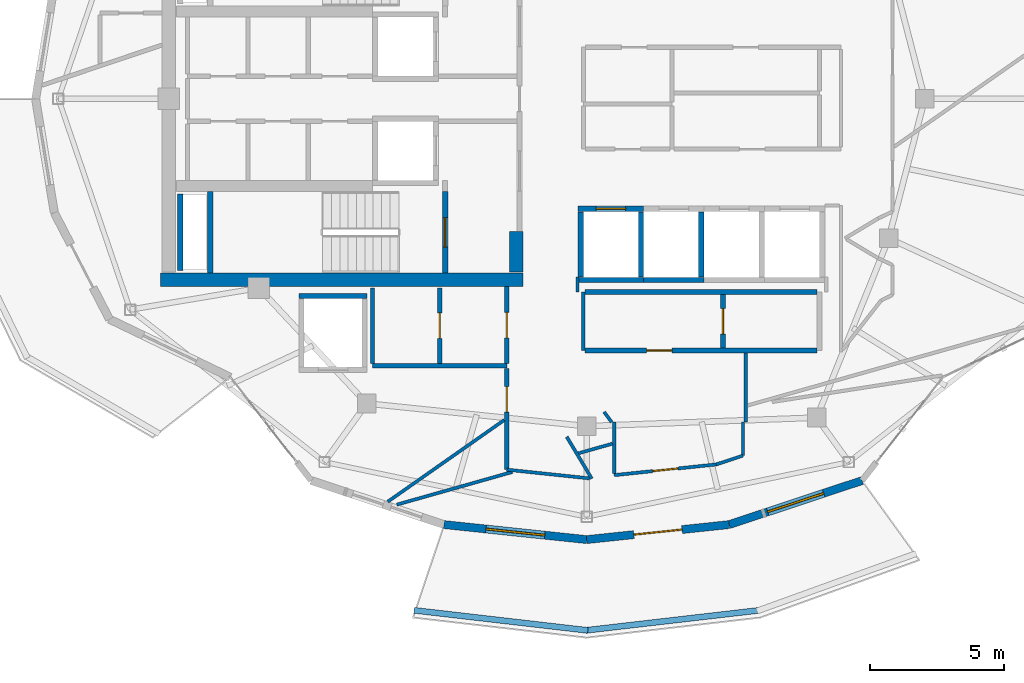
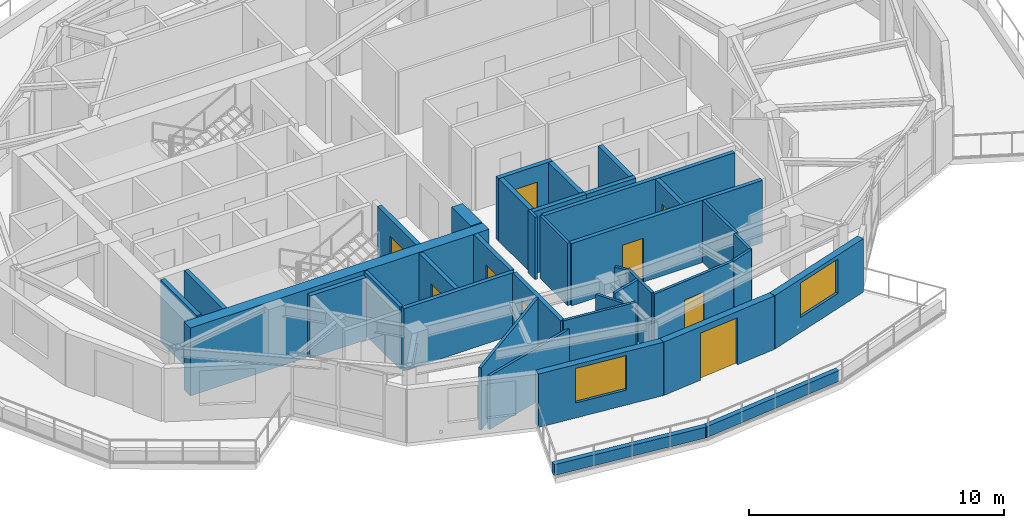
# One storey, part 7 of 15: 38 walls, 9 doors, 2 windows, 11 openings.
"""IFC4 building model written with IfcOpenShell, lengths in metres."""

from ifc_helpers import new_model, si_unit, direction, frame, frame_2d, origin, place, context, subcontext, project, spatial, rectangle, extrude, material, layer, layer_set, type_object, element, fill, save


model = new_model("IFC4")

# Units and contexts
model_context = context("Model", 3, precision=1e-05, world=origin(), true_north=direction((0.0, 1.0)))
body_context = subcontext(model_context, "Body", "Model", "MODEL_VIEW")
ifc_project = project(units=[si_unit("LENGTHUNIT", "METRE"), si_unit("AREAUNIT", "SQUARE_METRE"), si_unit("VOLUMEUNIT", "CUBIC_METRE"), si_unit("PLANEANGLEUNIT", "RADIAN"), si_unit("MASSUNIT", "GRAM", prefix="KILO")], contexts=[model_context])

# Site, building, storey
site_placement = place(None, origin())
site = spatial("IfcSite", under=ifc_project, at=site_placement, CompositionType="ELEMENT")
building_placement = place(site_placement, origin())
building = spatial("IfcBuilding", under=site, at=building_placement, Name="Kolvaren Gate Tower and Convention Centre", CompositionType="ELEMENT")
storey_placement = place(building_placement, frame((0.0, 0.0, 272.300048828125)))
storey = spatial("IfcBuildingStorey", under=building, at=storey_placement, Name="L74", CompositionType="ELEMENT", Elevation=272.300048828125)

# Wall
ifc_material_1 = material(Name="Autoclaved Aerated Masonry Blockwork Class 4 (4.0 MPa)", Category="masonry")
ifc_layer_1 = layer(ifc_material_1, 0.179931640625)
ifc_layer_set_1 = layer_set([ifc_layer_1], Name="Autoclaved Aerated Masonry Blockwork Class 4 (4.0 MPa)")
wall_type_1 = type_object("IfcWallType", Name="ARCH-WL-COMP-180", PredefinedType="SOLIDWALL", material=ifc_layer_set_1)
wall_1_placement = place(storey_placement, frame((22.14990234375, 17.050048828125, 0.0), z_axis=(0.0, 0.0, 1.0), x_axis=(1.0, 0.0, 0.0)))
element("IfcWall", 1, at=wall_1_placement, inside=storey, type_object=wall_type_1, Name="Interior Partition WL-L74-INT-012", PredefinedType="SOLIDWALL", context=body_context, shape_type="SweptSolid", body=[
    extrude(rectangle(XDim=5.0, YDim=0.179931640625, at=frame_2d((2.5, 0.0))), origin(), (0.0, 0.0, 1.0), 2.97998046875),
])

# Wall, opening, door
wall_2_placement = place(storey_placement, frame((24.64990234375, 17.14208984375, 0.0), z_axis=(0.0, 0.0, 1.0), x_axis=(0.0, 1.0, 0.0)))
wall_2 = element("IfcWall", 2, at=wall_2_placement, inside=storey, type_object=wall_type_1, Name="Interior Partition WL-L74-INT-014", PredefinedType="SOLIDWALL", context=body_context, shape_type="SweptSolid", body=[
    extrude(rectangle(XDim=2.807861328125, YDim=0.179931640625, at=frame_2d((1.40380859375, 0.0))), origin(), (0.0, 0.0, 1.0), 2.97998046875),
])
opening_1_placement = place(wall_2_placement, frame((0.928955078125, 0.0, 0.0)))
opening_1 = element("IfcOpeningElement", 3, at=opening_1_placement, cuts=wall_2, Name="Opening DR-01", PredefinedType="OPENING", context=body_context, shape_type="SweptSolid", body=[
    extrude(rectangle(XDim=0.949951171875, YDim=2.10009765625, at=frame_2d((0.47509765625, 1.050048828125))), frame((0.0, 0.099853515625, 0.0), z_axis=(0.0, -1.0, 0.0), x_axis=(1.0, 0.0, 0.0)), (0.0, 0.0, 1.0), 0.199951171875),
])
ifc_material_2 = material(Name="Painted Architectural Steelwork ASTM A500 Grade C 345 MPa", Category="steel")
door_type_1 = type_object("IfcDoorType", Name="ARCH-DR-RISER-950", OperationType="SINGLE_SWING_RIGHT", PredefinedType="DOOR", material=ifc_material_2)
door_1_placement = place(opening_1_placement, origin())
door_1 = element("IfcDoor", 4, at=door_1_placement, inside=storey, type_object=door_type_1, Name="West Valet Store Door", OperationType="SINGLE_SWING_RIGHT", OverallHeight=2.10009765625, OverallWidth=0.949951171875, PredefinedType="DOOR", context=body_context, shape_type="SweptSolid", body=[
    extrude(rectangle(XDim=0.949951171875, YDim=2.10009765625, at=frame_2d((0.47509765625, 1.050048828125))), frame((0.0, 0.02490234375, 0.0), z_axis=(0.0, -1.0, 0.0), x_axis=(1.0, 0.0, 0.0)), (0.0, 0.0, 1.0), 0.050048828125),
])
fill(opening_1, door_1)

wall_3_placement = place(storey_placement, frame((27.14990234375, 13.180908203125, 0.0), z_axis=(0.0, 0.0, 1.0), x_axis=(0.0, 1.0, 0.0)))
wall_3 = element("IfcWall", 5, at=wall_3_placement, inside=storey, type_object=wall_type_1, Name="Interior Partition WL-L74-INT-015", PredefinedType="SOLIDWALL", context=body_context, shape_type="SweptSolid", body=[
    extrude(rectangle(XDim=3.777099609375, YDim=0.179931640625, at=frame_2d((1.888671875, 0.0))), origin(), (0.0, 0.0, 1.0), 2.97998046875),
])
opening_2_placement = place(wall_3_placement, frame((2.139404296875, 0.0, 0.0)))
opening_2 = element("IfcOpeningElement", 6, at=opening_2_placement, cuts=wall_3, Name="Opening DR-01", PredefinedType="OPENING", context=body_context, shape_type="SweptSolid", body=[
    extrude(rectangle(XDim=0.949951171875, YDim=2.10009765625, at=frame_2d((0.47509765625, 1.050048828125))), frame((0.0, 0.099853515625, 0.0), z_axis=(0.0, -1.0, 0.0), x_axis=(1.0, 0.0, 0.0)), (0.0, 0.0, 1.0), 0.199951171875),
])
door_2_placement = place(opening_2_placement, origin())
door_2 = element("IfcDoor", 7, at=door_2_placement, inside=storey, type_object=door_type_1, Name="Resident Private Study Door", OperationType="SINGLE_SWING_RIGHT", OverallHeight=2.10009765625, OverallWidth=0.949951171875, PredefinedType="DOOR", context=body_context, shape_type="SweptSolid", body=[
    extrude(rectangle(XDim=0.949951171875, YDim=2.10009765625, at=frame_2d((0.47509765625, 1.050048828125))), frame((0.0, 0.02490234375, 0.0), z_axis=(0.0, -1.0, 0.0), x_axis=(1.0, 0.0, 0.0)), (0.0, 0.0, 1.0), 0.050048828125),
])
fill(opening_2, door_2)

wall_4_placement = place(storey_placement, frame((27.14990234375, 17.14208984375, 0.0), z_axis=(0.0, 0.0, 1.0), x_axis=(0.0, 1.0, 0.0)))
wall_4 = element("IfcWall", 8, at=wall_4_placement, inside=storey, type_object=wall_type_1, Name="Interior Partition WL-L74-INT-015 (2)", PredefinedType="SOLIDWALL", context=body_context, shape_type="SweptSolid", body=[
    extrude(rectangle(XDim=2.85595703125, YDim=0.179931640625, at=frame_2d((1.427978515625, 0.0))), origin(), (0.0, 0.0, 1.0), 2.97998046875),
])
opening_3_placement = place(wall_4_placement, frame((0.952880859375, 0.0, 0.0)))
opening_3 = element("IfcOpeningElement", 9, at=opening_3_placement, cuts=wall_4, Name="Opening DR-01", PredefinedType="OPENING", context=body_context, shape_type="SweptSolid", body=[
    extrude(rectangle(XDim=0.949951171875, YDim=2.10009765625, at=frame_2d((0.47509765625, 1.050048828125))), frame((0.0, 0.099853515625, 0.0), z_axis=(0.0, -1.0, 0.0), x_axis=(1.0, 0.0, 0.0)), (0.0, 0.0, 1.0), 0.199951171875),
])
door_3_placement = place(opening_3_placement, origin())
door_3 = element("IfcDoor", 10, at=door_3_placement, inside=storey, type_object=door_type_1, Name="Metering Switch Room Door", OperationType="SINGLE_SWING_RIGHT", OverallHeight=2.10009765625, OverallWidth=0.949951171875, PredefinedType="DOOR", context=body_context, shape_type="SweptSolid", body=[
    extrude(rectangle(XDim=0.949951171875, YDim=2.10009765625, at=frame_2d((0.47509765625, 1.050048828125))), frame((0.0, 0.02490234375, 0.0), z_axis=(0.0, -1.0, 0.0), x_axis=(1.0, 0.0, 0.0)), (0.0, 0.0, 1.0), 0.050048828125),
])
fill(opening_3, door_3)

wall_5_placement = place(storey_placement, frame((30.06201171875, 17.6201171875, 0.0), z_axis=(0.0, 0.0, 1.0), x_axis=(1.0, 0.0, 0.0)))
wall_5 = element("IfcWall", 11, at=wall_5_placement, inside=storey, type_object=wall_type_1, Name="Interior Partition WL-L74-INT-031", PredefinedType="SOLIDWALL", context=body_context, shape_type="SweptSolid", body=[
    extrude(rectangle(XDim=8.64599609375, YDim=0.179931640625, at=frame_2d((4.322998046875, 0.0))), origin(), (0.0, 0.0, 1.0), 2.97998046875),
])
opening_4_placement = place(wall_5_placement, frame((2.299072265625, 0.0, 0.0)))
opening_4 = element("IfcOpeningElement", 12, at=opening_4_placement, cuts=wall_5, Name="Opening DR-01", PredefinedType="OPENING", context=body_context, shape_type="SweptSolid", body=[
    extrude(rectangle(XDim=0.949951171875, YDim=2.10009765625, at=frame_2d((0.47509765625, 1.050048828125))), frame((0.0, 0.099853515625, 0.0), z_axis=(0.0, -1.0, 0.0), x_axis=(1.0, 0.0, 0.0)), (0.0, 0.0, 1.0), 0.199951171875),
])
door_4_placement = place(opening_4_placement, origin())
door_4 = element("IfcDoor", 13, at=door_4_placement, inside=storey, type_object=door_type_1, Name="Resident Quiet Library Door", OperationType="SINGLE_SWING_RIGHT", OverallHeight=2.10009765625, OverallWidth=0.949951171875, PredefinedType="DOOR", context=body_context, shape_type="SweptSolid", body=[
    extrude(rectangle(XDim=0.949951171875, YDim=2.10009765625, at=frame_2d((0.47509765625, 1.050048828125))), frame((0.0, 0.02490234375, 0.0), z_axis=(0.0, -1.0, 0.0), x_axis=(1.0, 0.0, 0.0)), (0.0, 0.0, 1.0), 0.050048828125),
])
fill(opening_4, door_4)

# Wall
wall_6_placement = place(storey_placement, frame((30.06201171875, 19.800048828125, 0.0), z_axis=(0.0, 0.0, 1.0), x_axis=(1.0, 0.0, 0.0)))
element("IfcWall", 14, at=wall_6_placement, inside=storey, type_object=wall_type_1, Name="Interior Partition WL-L74-INT-032", PredefinedType="SOLIDWALL", context=body_context, shape_type="SweptSolid", body=[
    extrude(rectangle(XDim=8.64599609375, YDim=0.179931640625, at=frame_2d((4.322998046875, 0.0))), origin(), (0.0, 0.0, 1.0), 2.97998046875),
])

# Wall, opening, door
wall_7_placement = place(storey_placement, frame((35.199951171875, 17.7119140625, 0.0), z_axis=(0.0, 0.0, 1.0), x_axis=(0.0, 1.0, 0.0)))
wall_7 = element("IfcWall", 15, at=wall_7_placement, inside=storey, type_object=wall_type_1, Name="Interior Partition WL-L74-INT-033", PredefinedType="SOLIDWALL", context=body_context, shape_type="SweptSolid", body=[
    extrude(rectangle(XDim=1.99609375, YDim=0.179931640625, at=frame_2d((0.998046875, 0.0))), origin(), (0.0, 0.0, 1.0), 2.97998046875),
])
opening_5_placement = place(wall_7_placement, frame((0.52294921875, 0.0, 0.0)))
opening_5 = element("IfcOpeningElement", 16, at=opening_5_placement, cuts=wall_7, Name="Opening DR-01", PredefinedType="OPENING", context=body_context, shape_type="SweptSolid", body=[
    extrude(rectangle(XDim=0.949951171875, YDim=2.10009765625, at=frame_2d((0.47509765625, 1.050048828125))), frame((0.0, 0.099853515625, 0.0), z_axis=(0.0, -1.0, 0.0), x_axis=(1.0, 0.0, 0.0)), (0.0, 0.0, 1.0), 0.199951171875),
])
door_5_placement = place(opening_5_placement, origin())
door_5 = element("IfcDoor", 17, at=door_5_placement, inside=storey, type_object=door_type_1, Name="Smart-Metering Room Door", OperationType="SINGLE_SWING_LEFT", OverallHeight=2.10009765625, OverallWidth=0.949951171875, PredefinedType="DOOR", context=body_context, shape_type="SweptSolid", body=[
    extrude(rectangle(XDim=0.949951171875, YDim=2.10009765625, at=frame_2d((0.47509765625, 1.050048828125))), frame((0.0, 0.02490234375, 0.0), z_axis=(0.0, -1.0, 0.0), x_axis=(1.0, 0.0, 0.0)), (0.0, 0.0, 1.0), 0.050048828125),
])
fill(opening_5, door_5)

# Walls
ifc_material_3 = material(Name="Fire-Rated Acoustic Gypsum Stud Partition", Category="gypsum")
ifc_layer_2 = layer(ifc_material_3, 0.1201171875)
ifc_layer_set_2 = layer_set([ifc_layer_2], Name="Fire-Rated Acoustic Gypsum Stud Partition")
wall_type_2 = type_object("IfcWallType", Name="ARCH-WL-PART-120", PredefinedType="PARTITIONING", material=ifc_layer_set_2)
wall_8_placement = place(storey_placement, frame((30.0, 17.6201171875, 0.0), z_axis=(0.0, 0.0, 1.0), x_axis=(0.0, 1.0, 0.0)))
element("IfcWall", 18, at=wall_8_placement, inside=storey, type_object=wall_type_2, Name="Interior Partition WL-L74-INT-018", PredefinedType="PARTITIONING", context=body_context, shape_type="SweptSolid", body=[
    extrude(rectangle(XDim=2.179931640625, YDim=0.1201171875, at=frame_2d((1.08984375, 0.0))), origin(), (0.0, 0.0, 1.0), 2.97998046875),
])
wall_9_placement = place(storey_placement, frame((29.780029296875, 19.800048828125, 0.0), z_axis=(0.0, 0.0, 1.0), x_axis=(0.0, 1.0, 0.0)))
element("IfcWall", 19, at=wall_9_placement, inside=storey, type_object=wall_type_2, Name="Interior Partition WL-L74-INT-063", PredefinedType="PARTITIONING", context=body_context, shape_type="SweptSolid", body=[
    extrude(rectangle(XDim=0.56005859375, YDim=0.1201171875, at=frame_2d((0.280029296875, 0.0))), origin(), (0.0, 0.0, 1.0), 2.97998046875),
])
wall_10_placement = place(storey_placement, frame((36.050048828125, 14.949951171875, 0.0), z_axis=(0.0, 0.0, 1.0), x_axis=(0.0, 1.0, 0.0)))
element("IfcWall", 20, at=wall_10_placement, inside=storey, type_object=wall_type_2, Name="Interior Partition WL-L74-INT-064", PredefinedType="PARTITIONING", context=body_context, shape_type="SweptSolid", body=[
    extrude(rectangle(XDim=2.578125, YDim=0.1201171875, at=frame_2d((1.2890625, 0.0))), origin(), (0.0, 0.0, 1.0), 2.97998046875),
])
wall_11_placement = place(storey_placement, frame((35.949951171875, 13.7060546875, 0.0), z_axis=(0.0, 0.0, 1.0), x_axis=(0.0, 1.0, 0.0)))
element("IfcWall", 21, at=wall_11_placement, inside=storey, type_object=wall_type_2, Name="Interior Partition WL-L74-INT-065", PredefinedType="PARTITIONING", context=body_context, shape_type="SweptSolid", body=[
    extrude(rectangle(XDim=1.243896484375, YDim=0.1201171875, at=frame_2d((0.6220703125, 0.0))), origin(), (0.0, 0.0, 1.0), 2.97998046875),
])
wall_12_placement = place(storey_placement, frame((34.955078125, 13.3759765625, 0.0), z_axis=(0.0, 0.0, 1.0), x_axis=(0.949124905871, 0.314899846071, 0.0)))
element("IfcWall", 22, at=wall_12_placement, inside=storey, type_object=wall_type_2, Name="Interior Partition WL-L74-INT-066", PredefinedType="PARTITIONING", context=body_context, shape_type="SweptSolid", body=[
    extrude(rectangle(XDim=1.048095703125, YDim=0.1201171875, at=frame_2d((0.52392578125, 0.0))), origin(), (0.0, 0.0, 1.0), 2.97998046875),
])

# Wall, opening, door
wall_13_placement = place(storey_placement, frame((31.14990234375, 12.97607421875, 0.0), z_axis=(0.0, 0.0, 1.0), x_axis=(0.994522920899, 0.104518705533, 0.0)))
wall_13 = element("IfcWall", 23, at=wall_13_placement, inside=storey, type_object=wall_type_2, Name="Interior Partition WL-L74-INT-067", PredefinedType="PARTITIONING", context=body_context, shape_type="SweptSolid", body=[
    extrude(rectangle(XDim=3.826171875, YDim=0.1201171875, at=frame_2d((1.9130859375, 0.0))), origin(), (0.0, 0.0, 1.0), 2.97998046875),
])
opening_6_placement = place(wall_13_placement, frame((1.43798828125, 0.0, 0.0)))
opening_6 = element("IfcOpeningElement", 24, at=opening_6_placement, cuts=wall_13, Name="Opening DR-01", PredefinedType="OPENING", context=body_context, shape_type="SweptSolid", body=[
    extrude(rectangle(XDim=0.949951171875, YDim=2.10009765625, at=frame_2d((0.47509765625, 1.050048828125))), frame((0.0, 0.070068359375, 0.0), z_axis=(0.0, -1.0, 0.0), x_axis=(1.0, 0.0, 0.0)), (0.0, 0.0, 1.0), 0.14013671875),
])
door_6_placement = place(opening_6_placement, origin())
door_6 = element("IfcDoor", 25, at=door_6_placement, inside=storey, type_object=door_type_1, Name="Summit Concierge Staff Office Door", OperationType="SINGLE_SWING_LEFT", OverallHeight=2.10009765625, OverallWidth=0.949951171875, PredefinedType="DOOR", context=body_context, shape_type="SweptSolid", body=[
    extrude(rectangle(XDim=0.949951171875, YDim=2.10009765625, at=frame_2d((0.47509765625, 1.050048828125))), frame((0.0, 0.02490234375, 0.0), z_axis=(0.0, -1.0, 0.0), x_axis=(1.0, 0.0, 0.0)), (0.0, 0.0, 1.0), 0.050048828125),
])
fill(opening_6, door_6)

# Walls
wall_14_placement = place(storey_placement, frame((31.14990234375, 13.038330078125, 0.0), z_axis=(0.0, 0.0, 1.0), x_axis=(0.0, 1.0, 0.0)))
element("IfcWall", 26, at=wall_14_placement, inside=storey, type_object=wall_type_2, Name="Interior Partition WL-L74-INT-068", PredefinedType="PARTITIONING", context=body_context, shape_type="SweptSolid", body=[
    extrude(rectangle(XDim=1.91162109375, YDim=0.1201171875, at=frame_2d((0.955810546875, 0.0))), origin(), (0.0, 0.0, 1.0), 2.97998046875),
])
wall_15_placement = place(storey_placement, frame((30.77392578125, 15.3330078125, 0.0), z_axis=(0.0, 0.0, 1.0), x_axis=(0.595814974861, -0.803121731577, 0.0)))
element("IfcWall", 27, at=wall_15_placement, inside=storey, type_object=wall_type_2, Name="Interior Partition WL-L74-INT-069", PredefinedType="PARTITIONING", context=body_context, shape_type="SweptSolid", body=[
    extrude(rectangle(XDim=0.47705078125, YDim=0.1201171875, at=frame_2d((0.238525390625, 0.0))), origin(), (0.0, 0.0, 1.0), 2.97998046875),
])
wall_16_placement = place(storey_placement, frame((29.384033203125, 14.404052734375, 0.0), z_axis=(0.0, 0.0, 1.0), x_axis=(0.513922040123, -0.857836893982, 0.0)))
element("IfcWall", 28, at=wall_16_placement, inside=storey, type_object=wall_type_2, Name="Interior Partition WL-L74-INT-070", PredefinedType="PARTITIONING", context=body_context, shape_type="SweptSolid", body=[
    extrude(rectangle(XDim=1.815185546875, YDim=0.1201171875, at=frame_2d((0.90771484375, 0.0))), origin(), (0.0, 0.0, 1.0), 2.719970703125),
])
wall_17_placement = place(storey_placement, frame((27.14990234375, 13.180908203125, 0.0), z_axis=(0.0, 0.0, 1.0), x_axis=(0.994482609393, -0.104901571076, 0.0)))
element("IfcWall", 29, at=wall_17_placement, inside=storey, type_object=wall_type_2, Name="Interior Partition WL-L74-INT-071", PredefinedType="PARTITIONING", context=body_context, shape_type="SweptSolid", body=[
    extrude(rectangle(XDim=3.10693359375, YDim=0.1201171875, at=frame_2d((1.553466796875, 0.0))), origin(), (0.0, 0.0, 1.0), 2.97998046875),
])
wall_18_placement = place(storey_placement, frame((22.716796875, 11.98876953125, 0.0), z_axis=(0.0, 0.0, 1.0), x_axis=(0.818894271004, 0.573944398803, 0.0)))
element("IfcWall", 30, at=wall_18_placement, inside=storey, type_object=wall_type_2, Name="Interior Partition WL-L74-INT-074", PredefinedType="PARTITIONING", context=body_context, shape_type="SweptSolid", body=[
    extrude(rectangle(XDim=5.301513671875, YDim=0.1201171875, at=frame_2d((2.65087890625, 0.0))), origin(), (0.0, 0.0, 1.0), 2.97998046875),
])
wall_19_placement = place(storey_placement, frame((23.051513671875, 11.8779296875, 0.0), z_axis=(0.0, 0.0, 1.0), x_axis=(0.962309713173, 0.271955908067, 0.0)))
element("IfcWall", 31, at=wall_19_placement, inside=storey, type_object=wall_type_2, Name="Interior Partition WL-L74-INT-076", PredefinedType="PARTITIONING", context=body_context, shape_type="SweptSolid", body=[
    extrude(rectangle(XDim=4.479736328125, YDim=0.1201171875, at=frame_2d((2.23974609375, 0.0))), origin(), (0.0, 0.0, 1.0), 2.554931640625),
])
wall_20_placement = place(storey_placement, frame((29.822998046875, 13.791748046875, 0.0), z_axis=(0.0, 0.0, 1.0), x_axis=(0.96227029626, 0.272095345304, 0.0)))
element("IfcWall", 32, at=wall_20_placement, inside=storey, type_object=wall_type_2, Name="Interior Partition WL-L74-INT-077", PredefinedType="PARTITIONING", context=body_context, shape_type="SweptSolid", body=[
    extrude(rectangle(XDim=1.314453125, YDim=0.1201171875, at=frame_2d((0.6572265625, 0.0))), origin(), (0.0, 0.0, 1.0), 2.97998046875),
])
ifc_material_4 = material(Name="Piedmont Cream Honed Limestone Cladding", Category="masonry")
ifc_layer_3 = layer(ifc_material_4, 0.219970703125)
ifc_layer_set_3 = layer_set([ifc_layer_3], Name="Piedmont Cream Honed Limestone Cladding")
wall_type_3 = type_object("IfcWallType", Name="ARCH-WL-PLANTER-220", PredefinedType="PARAPET", material=ifc_layer_set_3)
for number, where, z_axis, x_axis, name in (
    (33, (23.694091796875, 7.9404296875, 0.0), (0.0, 0.0, 1.0), (0.993378231371, -0.114889901378, 0.0), "Vertical-Forest Balcony Stone Planter Kerb PK-L74-3.1"),
    (34, (30.07958984375, 7.19140625, 0.0), (0.0, 0.0, 1.0), (0.993378231371, 0.114889901378, 0.0), "Vertical-Forest Balcony Stone Planter Kerb PK-L74-3.2"),
):
    element("IfcWall", number, at=place(storey_placement, frame(where, z_axis=z_axis, x_axis=x_axis)), inside=storey, type_object=wall_type_3, Name=name, PredefinedType="PARAPET", context=body_context, shape_type="SweptSolid", body=[
        extrude(rectangle(XDim=6.51953125, YDim=0.219970703125, at=frame_2d((3.259765625, 0.0))), origin(), (0.0, 0.0, 1.0), 0.52001953125),
    ])
ifc_layer_4 = layer(ifc_material_1, 0.199951171875)
ifc_layer_set_4 = layer_set([ifc_layer_4], Name="Autoclaved Aerated Masonry Blockwork Class 4 (4.0 MPa)")
wall_type_4 = type_object("IfcWallType", Name="ARCH-WL-SHAFT-200", PredefinedType="SOLIDWALL", material=ifc_layer_set_4)
wall_21_placement = place(storey_placement, frame((19.39990234375, 19.64990234375, 0.0), z_axis=(0.0, 0.0, 1.0), x_axis=(1.0, 0.0, 0.0)))
element("IfcWall", 35, at=wall_21_placement, inside=storey, type_object=wall_type_4, Name="Elevator SV-01 L74 Fire Shaft Wall N", PredefinedType="SOLIDWALL", context=body_context, shape_type="SweptSolid", body=[
    extrude(rectangle(XDim=2.550048828125, YDim=0.199951171875, at=frame_2d((1.27490234375, 0.0))), origin(), (0.0, 0.0, 1.0), 2.97998046875),
])

# Wall, opening, door
wall_22_placement = place(storey_placement, frame((29.800048828125, 22.89990234375, 0.0), z_axis=(0.0, 0.0, 1.0), x_axis=(1.0, 0.0, 0.0)))
wall_22 = element("IfcWall", 36, at=wall_22_placement, inside=storey, type_object=wall_type_4, Name="Elevator PL-09 L74 Fire Shaft Wall N", PredefinedType="SOLIDWALL", context=body_context, shape_type="SweptSolid", body=[
    extrude(rectangle(XDim=2.449951171875, YDim=0.199951171875, at=frame_2d((1.22509765625, 0.0))), origin(), (0.0, 0.0, 1.0), 2.97998046875),
])
opening_7_placement = place(wall_22_placement, frame((0.675048828125, 0.0, 0.0)))
opening_7 = element("IfcOpeningElement", 37, at=opening_7_placement, cuts=wall_22, Name="Opening LD", PredefinedType="OPENING", context=body_context, shape_type="SweptSolid", body=[
    extrude(rectangle(XDim=1.10009765625, YDim=2.199951171875, at=frame_2d((0.550048828125, 1.10009765625))), frame((0.0, 0.10986328125, 0.0), z_axis=(0.0, -1.0, 0.0), x_axis=(1.0, 0.0, 0.0)), (0.0, 0.0, 1.0), 0.219970703125),
])
ifc_material_5 = material(Name="Brushed Stainless Steel Grade 316L", Category="steel")
door_type_2 = type_object("IfcDoorType", Name="ARCH-DR-LIFT-1100", OperationType="SLIDING_TO_LEFT", PredefinedType="DOOR", material=ifc_material_5)
door_7_placement = place(opening_7_placement, origin())
door_7 = element("IfcDoor", 38, at=door_7_placement, inside=storey, type_object=door_type_2, Name="Elevator PL-09 L74 Sliding Landing Door", OperationType="SLIDING_TO_LEFT", OverallHeight=2.199951171875, OverallWidth=1.10009765625, PredefinedType="DOOR", context=body_context, shape_type="SweptSolid", body=[
    extrude(rectangle(XDim=1.10009765625, YDim=2.199951171875, at=frame_2d((0.550048828125, 1.10009765625))), frame((0.0, 0.02490234375, 0.0), z_axis=(0.0, -1.0, 0.0), x_axis=(1.0, 0.0, 0.0)), (0.0, 0.0, 1.0), 0.050048828125),
])
fill(opening_7, door_7)

# Walls
wall_23_placement = place(storey_placement, frame((29.800048828125, 20.25, 0.0), z_axis=(0.0, 0.0, 1.0), x_axis=(1.0, 0.0, 0.0)))
element("IfcWall", 39, at=wall_23_placement, inside=storey, type_object=wall_type_4, Name="Elevator PL-09 L74 Fire Shaft Wall S", PredefinedType="SOLIDWALL", context=body_context, shape_type="SweptSolid", body=[
    extrude(rectangle(XDim=2.449951171875, YDim=0.199951171875, at=frame_2d((1.22509765625, 0.0))), origin(), (0.0, 0.0, 1.0), 2.97998046875),
])
for number, where, z_axis, x_axis, name in (
    (40, (29.89990234375, 20.360107421875, 0.0), (0.0, 0.0, 1.0), (0.0, 1.0, 0.0), "Elevator PL-09 L74 Fire Shaft Wall W"),
    (41, (32.14990234375, 20.360107421875, 0.0), (0.0, 0.0, 1.0), (0.0, 1.0, 0.0), "Elevator PL-09 L74 Fire Shaft Wall E"),
):
    element("IfcWall", number, at=place(storey_placement, frame(where, z_axis=z_axis, x_axis=x_axis)), inside=storey, type_object=wall_type_4, Name=name, PredefinedType="SOLIDWALL", context=body_context, shape_type="SweptSolid", body=[
        extrude(rectangle(XDim=2.429931640625, YDim=0.199951171875, at=frame_2d((1.21484375, 0.0))), origin(), (0.0, 0.0, 1.0), 2.97998046875),
    ])
wall_24_placement = place(storey_placement, frame((32.25, 20.25, 0.0), z_axis=(0.0, 0.0, 1.0), x_axis=(1.0, 0.0, 0.0)))
element("IfcWall", 42, at=wall_24_placement, inside=storey, type_object=wall_type_4, Name="Elevator PL-10 L74 Fire Shaft Wall S", PredefinedType="SOLIDWALL", context=body_context, shape_type="SweptSolid", body=[
    extrude(rectangle(XDim=2.25, YDim=0.199951171875, at=frame_2d((1.125, 0.0))), origin(), (0.0, 0.0, 1.0), 2.97998046875),
])
wall_25_placement = place(storey_placement, frame((34.39990234375, 20.360107421875, 0.0), z_axis=(0.0, 0.0, 1.0), x_axis=(0.0, 1.0, 0.0)))
element("IfcWall", 43, at=wall_25_placement, inside=storey, type_object=wall_type_4, Name="Elevator PL-10 L74 Fire Shaft Wall E", PredefinedType="SOLIDWALL", context=body_context, shape_type="SweptSolid", body=[
    extrude(rectangle(XDim=2.429931640625, YDim=0.199951171875, at=frame_2d((1.21484375, 0.0))), origin(), (0.0, 0.0, 1.0), 2.97998046875),
])
wall_26_placement = place(storey_placement, frame((14.989990234375, 20.60009765625, 0.0), z_axis=(0.0, 0.0, 1.0), x_axis=(0.0, 1.0, 0.0)))
element("IfcWall", 44, at=wall_26_placement, inside=storey, type_object=wall_type_4, Name="Vertical Shaft MPR L74 EI-120 Enclosure Wall W", PredefinedType="SOLIDWALL", context=body_context, shape_type="SweptSolid", body=[
    extrude(rectangle(XDim=2.849853515625, YDim=0.199951171875, at=frame_2d((1.4248046875, 0.0))), origin(), (0.0, 0.0, 1.0), 2.97998046875),
])

# Wall, opening, window
ifc_layer_5 = layer(ifc_material_4, 0.300048828125)
ifc_layer_set_5 = layer_set([ifc_layer_5], Name="Piedmont Cream Honed Limestone Cladding")
wall_type_5 = type_object("IfcWallType", Name="ARCH-WL-STONE-300", PredefinedType="SOLIDWALL", material=ifc_layer_set_5)
wall_27_placement = place(storey_placement, frame((24.81103515625, 11.134765625, 0.0), z_axis=(0.0, 0.0, 1.0), x_axis=(0.9944966869, -0.104768028258, 0.0)))
wall_27 = element("IfcWall", 45, at=wall_27_placement, inside=storey, type_object=wall_type_5, Name="Tower L74 Honed Stone Spandrel Wall EW-17", PredefinedType="SOLIDWALL", context=body_context, shape_type="SweptSolid", body=[
    extrude(rectangle(XDim=5.34326171875, YDim=0.300048828125, at=frame_2d((2.671630859375, 0.0))), origin(), (0.0, 0.0, 1.0), 2.554931640625),
])
opening_8_placement = place(wall_27_placement, frame((1.572021484375, 0.0, 0.719970703125)))
opening_8 = element("IfcOpeningElement", 46, at=opening_8_placement, cuts=wall_27, Name="Opening W-03", PredefinedType="OPENING", context=body_context, shape_type="SweptSolid", body=[
    extrude(rectangle(XDim=2.199951171875, YDim=1.64990234375, at=frame_2d((1.10009765625, 0.824951171875))), frame((0.0, 0.159912109375, 0.0), z_axis=(0.0, -1.0, 0.0), x_axis=(1.0, 0.0, 0.0)), (0.0, 0.0, 1.0), 0.320068359375),
])
ifc_material_6 = material(Name="Low-E Triple Insulated Glazing Unit 44 mm", Category="glass")
window_type = type_object("IfcWindowType", Name="ARCH-WN-RES-2200", PartitioningType="SINGLE_PANEL", PredefinedType="WINDOW", material=ifc_material_6)
window_1_placement = place(opening_8_placement, origin())
window_1 = element("IfcWindow", 47, at=window_1_placement, inside=storey, type_object=window_type, Name="Tower L74 Punched Stone Facade Window W-17", OverallHeight=1.64990234375, OverallWidth=2.199951171875, PartitioningType="SINGLE_PANEL", PredefinedType="WINDOW", context=body_context, shape_type="SweptSolid", body=[
    extrude(rectangle(XDim=2.199951171875, YDim=1.64990234375, at=frame_2d((1.10009765625, 0.824951171875))), frame((0.0, 0.030029296875, 0.0), z_axis=(0.0, -1.0, 0.0), x_axis=(1.0, 0.0, 0.0)), (0.0, 0.0, 1.0), 0.06005859375),
])
fill(opening_8, window_1)

# Wall, opening, door
wall_28_placement = place(storey_placement, frame((30.125, 10.574951171875, 0.0), z_axis=(0.0, 0.0, 1.0), x_axis=(0.9944966869, 0.104768028258, 0.0)))
wall_28 = element("IfcWall", 48, at=wall_28_placement, inside=storey, type_object=wall_type_5, Name="Tower L74 Honed Stone Spandrel Wall EW-18", PredefinedType="SOLIDWALL", context=body_context, shape_type="SweptSolid", body=[
    extrude(rectangle(XDim=5.34326171875, YDim=0.300048828125, at=frame_2d((2.671630859375, 0.0))), origin(), (0.0, 0.0, 1.0), 2.554931640625),
])
opening_9_placement = place(wall_28_placement, frame((1.77197265625, 0.0, 0.0)))
opening_9 = element("IfcOpeningElement", 49, at=opening_9_placement, cuts=wall_28, Name="Opening DB-01", PredefinedType="OPENING", context=body_context, shape_type="SweptSolid", body=[
    extrude(rectangle(XDim=1.800048828125, YDim=2.25, at=frame_2d((0.89990234375, 1.125))), frame((0.0, 0.159912109375, 0.0), z_axis=(0.0, -1.0, 0.0), x_axis=(1.0, 0.0, 0.0)), (0.0, 0.0, 1.0), 0.320068359375),
])
ifc_material_7 = material(Name="Anodized Architectural Aluminium Alloy 6063-T6", Category="aluminium")
door_type_3 = type_object("IfcDoorType", Name="ARCH-DR-BALC-1800", OperationType="SLIDING_TO_LEFT", PredefinedType="DOOR", material=ifc_material_7)
door_8_placement = place(opening_9_placement, frame((1.800048828125, 0.0, 0.0), z_axis=(0.0, 0.0, 1.0), x_axis=(-1.0, 0.0, 0.0)))
door_8 = element("IfcDoor", 50, at=door_8_placement, inside=storey, type_object=door_type_3, Name="Planted Sky Terrace Access Door DB-L74-18", OperationType="SLIDING_TO_LEFT", OverallHeight=2.25, OverallWidth=1.800048828125, PredefinedType="DOOR", context=body_context, shape_type="SweptSolid", body=[
    extrude(rectangle(XDim=1.800048828125, YDim=2.25, at=frame_2d((0.89990234375, 1.125))), frame((0.0, 0.02490234375, 0.0), z_axis=(0.0, -1.0, 0.0), x_axis=(1.0, 0.0, 0.0)), (0.0, 0.0, 1.0), 0.050048828125),
])
fill(opening_9, door_8)

# Wall, opening, window
wall_29_placement = place(storey_placement, frame((35.43896484375, 11.134765625, 0.0), z_axis=(0.0, 0.0, 1.0), x_axis=(0.949252744709, 0.314514271001, 0.0)))
wall_29 = element("IfcWall", 51, at=wall_29_placement, inside=storey, type_object=wall_type_5, Name="Tower L74 Honed Stone Spandrel Wall EW-19", PredefinedType="SOLIDWALL", context=body_context, shape_type="SweptSolid", body=[
    extrude(rectangle(XDim=5.21630859375, YDim=0.300048828125, at=frame_2d((2.608154296875, 0.0))), origin(), (0.0, 0.0, 1.0), 2.554931640625),
])
opening_10_placement = place(wall_29_placement, frame((1.508056640625, 0.0, 0.719970703125)))
opening_10 = element("IfcOpeningElement", 52, at=opening_10_placement, cuts=wall_29, Name="Opening W-03", PredefinedType="OPENING", context=body_context, shape_type="SweptSolid", body=[
    extrude(rectangle(XDim=2.199951171875, YDim=1.64990234375, at=frame_2d((1.10009765625, 0.824951171875))), frame((0.0, 0.159912109375, 0.0), z_axis=(0.0, -1.0, 0.0), x_axis=(1.0, 0.0, 0.0)), (0.0, 0.0, 1.0), 0.320068359375),
])
window_2_placement = place(opening_10_placement, origin())
window_2 = element("IfcWindow", 53, at=window_2_placement, inside=storey, type_object=window_type, Name="Tower L74 Punched Stone Facade Window W-19", OverallHeight=1.64990234375, OverallWidth=2.199951171875, PartitioningType="SINGLE_PANEL", PredefinedType="WINDOW", context=body_context, shape_type="SweptSolid", body=[
    extrude(rectangle(XDim=2.199951171875, YDim=1.64990234375, at=frame_2d((1.10009765625, 0.824951171875))), frame((0.0, 0.030029296875, 0.0), z_axis=(0.0, -1.0, 0.0), x_axis=(1.0, 0.0, 0.0)), (0.0, 0.0, 1.0), 0.06005859375),
])
fill(opening_10, window_2)

# Walls
ifc_material_8 = material(Name="Moisture-Resistant Cement-Board Acoustic Partition", Category="gypsum")
ifc_layer_6 = layer(ifc_material_8, 0.14990234375)
ifc_layer_set_6 = layer_set([ifc_layer_6], Name="Moisture-Resistant Cement-Board Acoustic Partition")
wall_type_6 = type_object("IfcWallType", Name="ARCH-WL-WET-150", PredefinedType="PARTITIONING", material=ifc_layer_set_6)
wall_30_placement = place(storey_placement, frame((22.14990234375, 17.14208984375, 0.0), z_axis=(0.0, 0.0, 1.0), x_axis=(0.0, 1.0, 0.0)))
element("IfcWall", 54, at=wall_30_placement, inside=storey, type_object=wall_type_6, Name="Interior Partition WL-L74-INT-013", PredefinedType="PARTITIONING", context=body_context, shape_type="SweptSolid", body=[
    extrude(rectangle(XDim=2.807861328125, YDim=0.14990234375, at=frame_2d((1.40380859375, 0.0))), origin(), (0.0, 0.0, 1.0), 2.97998046875),
])
ifc_material_9 = material(Name="Concrete C50/60", Category="concrete")
ifc_layer_7 = layer(ifc_material_9, 0.5)
ifc_layer_set_7 = layer_set([ifc_layer_7], Name="Concrete C50/60")
wall_type_7 = type_object("IfcWallType", Name="STR-WL-CORE-500", PredefinedType="SHEAR", material=ifc_layer_set_7)
wall_31_placement = place(storey_placement, frame((14.25, 20.25, -0.27001953125), z_axis=(0.0, 0.0, 1.0), x_axis=(1.0, 0.0, 0.0)))
element("IfcWall", 55, at=wall_31_placement, inside=storey, type_object=wall_type_7, Name="Tower L74 Offset Core Shear Wall S", PredefinedType="SHEAR", context=body_context, shape_type="SweptSolid", body=[
    extrude(rectangle(XDim=13.5, YDim=0.5, at=frame_2d((6.75, 0.0))), origin(), (0.0, 0.0, 1.0), 3.25),
])
wall_32_placement = place(storey_placement, frame((27.5, 20.550048828125, -0.27001953125), z_axis=(0.0, 0.0, 1.0), x_axis=(0.0, 1.0, 0.0)))
element("IfcWall", 56, at=wall_32_placement, inside=storey, type_object=wall_type_7, Name="Tower L74 Offset Core Shear Wall ES", PredefinedType="SHEAR", context=body_context, shape_type="SweptSolid", body=[
    extrude(rectangle(XDim=1.5, YDim=0.5, at=frame_2d((0.75, 0.0))), origin(), (0.0, 0.0, 1.0), 3.25),
])

# Wall, opening, door
ifc_layer_8 = layer(ifc_material_9, 0.199951171875)
ifc_layer_set_8 = layer_set([ifc_layer_8], Name="Concrete C50/60")
wall_type_8 = type_object("IfcWallType", Name="STR-WL-SHAFT-200", PredefinedType="SHEAR", material=ifc_layer_set_8)
wall_33_placement = place(storey_placement, frame((24.85009765625, 20.501953125, -0.27001953125), z_axis=(0.0, 0.0, 1.0), x_axis=(0.0, 1.0, 0.0)))
wall_33 = element("IfcWall", 57, at=wall_33_placement, inside=storey, type_object=wall_type_8, Name="Tower South Exit Stair ST-T2 L74 Structural Shear Enclosure Wall NEAR", PredefinedType="SHEAR", context=body_context, shape_type="SweptSolid", body=[
    extrude(rectangle(XDim=3.0380859375, YDim=0.199951171875, at=frame_2d((1.51904296875, 0.0))), origin(), (0.0, 0.0, 1.0), 3.25),
])
opening_11_placement = place(wall_33_placement, frame((0.968994140625, 0.0, 0.27001953125)))
opening_11 = element("IfcOpeningElement", 58, at=opening_11_placement, cuts=wall_33, Name="Opening DS-01", PredefinedType="OPENING", context=body_context, shape_type="SweptSolid", body=[
    extrude(rectangle(XDim=1.10009765625, YDim=2.14990234375, at=frame_2d((0.550048828125, 1.074951171875))), frame((0.0, 0.10986328125, 0.0), z_axis=(0.0, -1.0, 0.0), x_axis=(1.0, 0.0, 0.0)), (0.0, 0.0, 1.0), 0.219970703125),
])
door_type_4 = type_object("IfcDoorType", Name="ARCH-DR-STAIR-1100", OperationType="SINGLE_SWING_LEFT", PredefinedType="DOOR", material=ifc_material_2)
door_9_placement = place(opening_11_placement, origin())
door_9 = element("IfcDoor", 59, at=door_9_placement, inside=storey, type_object=door_type_4, Name="Tower South Exit Stair ST-T2 L74 Fire Exit Stair Door", OperationType="SINGLE_SWING_RIGHT", OverallHeight=2.14990234375, OverallWidth=1.10009765625, PredefinedType="DOOR", context=body_context, shape_type="SweptSolid", body=[
    extrude(rectangle(XDim=1.10009765625, YDim=2.14990234375, at=frame_2d((0.550048828125, 1.074951171875))), frame((0.0, 0.02490234375, 0.0), z_axis=(0.0, -1.0, 0.0), x_axis=(1.0, 0.0, 0.0)), (0.0, 0.0, 1.0), 0.050048828125),
])
fill(opening_11, door_9)

# Wall
wall_34_placement = place(storey_placement, frame((16.10009765625, 20.501953125, -0.27001953125), z_axis=(0.0, 0.0, 1.0), x_axis=(0.0, 1.0, 0.0)))
element("IfcWall", 60, at=wall_34_placement, inside=storey, type_object=wall_type_8, Name="Tower South Exit Stair ST-T2 L74 Structural Shear Enclosure Wall FAR", PredefinedType="SHEAR", context=body_context, shape_type="SweptSolid", body=[
    extrude(rectangle(XDim=3.0361328125, YDim=0.199951171875, at=frame_2d((1.51806640625, 0.0))), origin(), (0.0, 0.0, 1.0), 3.25),
])

save(model, "model.ifc")
